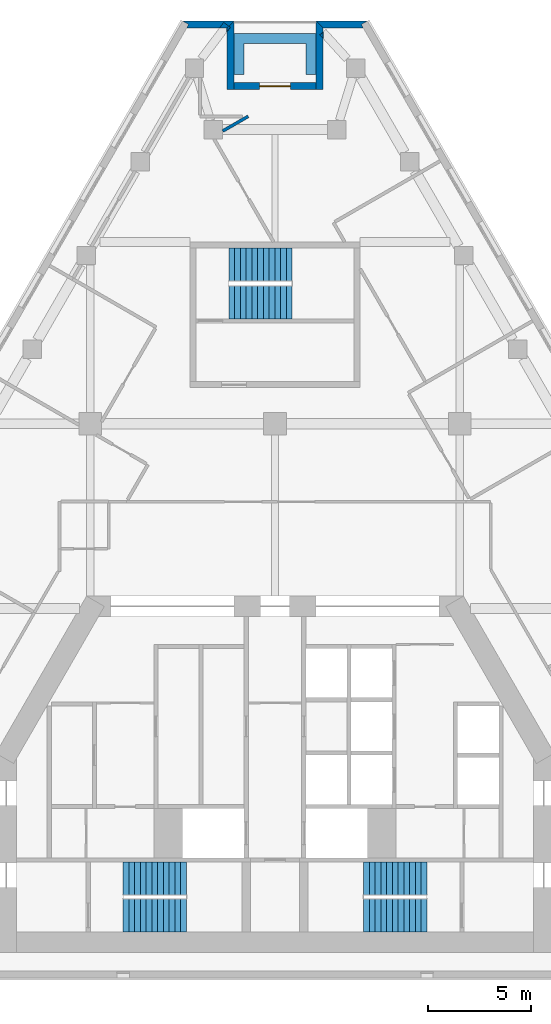
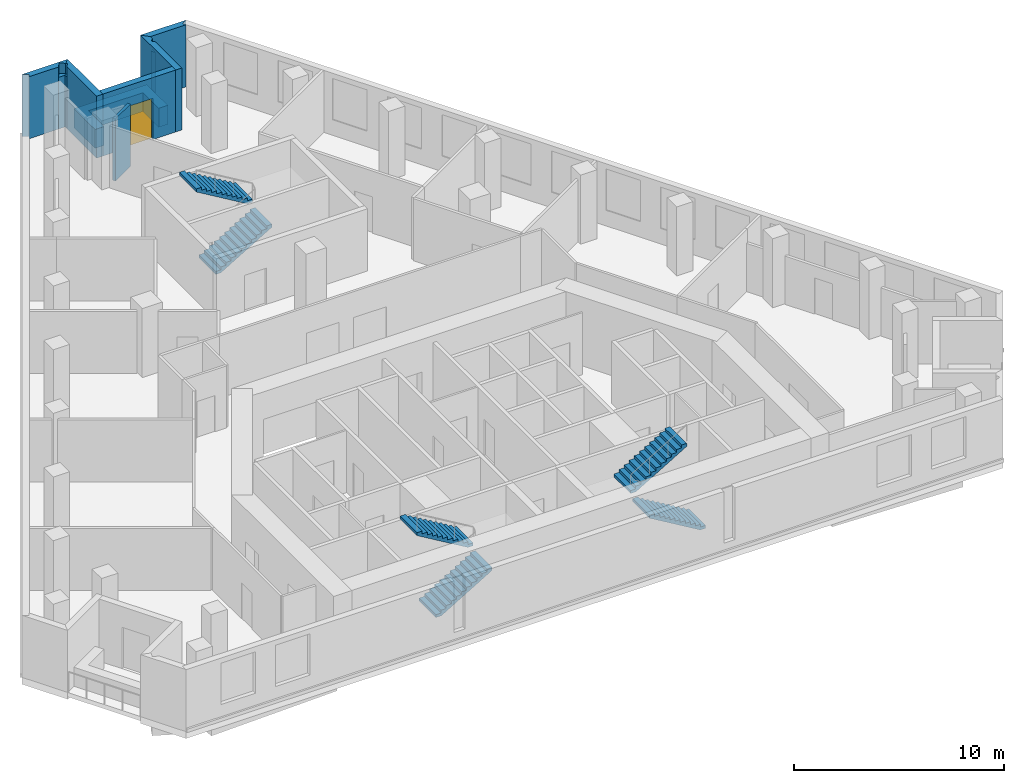
# One storey, part 7 of 8: 10 walls, 6 stair flights, 1 door, 1 opening, 3 elements without a shape of their own.
"""IFC4 building model written with IfcOpenShell, lengths in metres."""

from ifc_helpers import new_model, si_unit, direction, frame, frame_2d, origin, place, context, subcontext, project, spatial, polyline, rectangle, outline, extrude, material, layer, layer_set, type_object, element, fill, aggregate, save


model = new_model("IFC4")

# Units and contexts
model_context = context("Model", 3, precision=1e-05, world=origin(), true_north=direction((0.0, 1.0)))
body_context = subcontext(model_context, "Body", "Model", "MODEL_VIEW")
ifc_project = project(units=[si_unit("LENGTHUNIT", "METRE"), si_unit("AREAUNIT", "SQUARE_METRE"), si_unit("VOLUMEUNIT", "CUBIC_METRE"), si_unit("PLANEANGLEUNIT", "RADIAN"), si_unit("MASSUNIT", "GRAM", prefix="KILO")], contexts=[model_context])

# Site, building, storey
site_placement = place(None, origin())
site = spatial("IfcSite", under=ifc_project, at=site_placement, CompositionType="ELEMENT")
building_placement = place(site_placement, origin())
building = spatial("IfcBuilding", under=site, at=building_placement, Name="Fogline Exchange Tower", CompositionType="ELEMENT")
storey_placement = place(building_placement, frame((0.0, 0.0, 223.5)))
storey = spatial("IfcBuildingStorey", under=building, at=storey_placement, Name="L50", CompositionType="ELEMENT", Elevation=223.5)

# Walls
ifc_material_1 = material(Name="Brick masonry", Category="masonry")
ifc_layer_1 = layer(ifc_material_1, 0.340087890625)
ifc_layer_set_1 = layer_set([ifc_layer_1], Name="FW1")
wall_type_1 = type_object("IfcWallType", Name="FW1", PredefinedType="SOLIDWALL", material=ifc_layer_set_1)
wall_1_placement = place(storey_placement, origin())
element("IfcWall", 1, at=wall_1_placement, inside=storey, type_object=wall_type_1, Name="Brick wall L50 N-c1", PredefinedType="SOLIDWALL", context=body_context, shape_type="SweptSolid", body=[
    extrude(outline(polyline([(1.9990234375, 46.6171875), (4.5009765625, 46.6171875), (4.501220703125, 46.61669921875), (4.206298828125, 46.446533203125), (4.3046875, 46.276123046875), (2.33984375, 46.276123046875), (1.998779296875, 46.616943359375), (1.9990234375, 46.6171875)])), origin(), (0.0, 0.0, 1.0), 3.60009765625),
])
wall_2_placement = place(storey_placement, origin())
element("IfcWall", 2, at=wall_2_placement, inside=storey, type_object=wall_type_1, Name="Brick wall L50 N-s1", PredefinedType="SOLIDWALL", context=body_context, shape_type="SweptSolid", body=[
    extrude(outline(polyline([(2.340576171875, 45.7705078125), (2.188232421875, 45.938232421875), (2.340576171875, 46.07666015625), (2.340576171875, 45.7705078125)])), origin(), (0.0, 0.0, 1.0), 3.0),
])
wall_3_placement = place(storey_placement, origin())
element("IfcWall", 3, at=wall_3_placement, inside=storey, type_object=wall_type_1, Name="Brick wall L50 N-s1", PredefinedType="SOLIDWALL", context=body_context, shape_type="SweptSolid", body=[
    extrude(outline(polyline([(1.99951171875, 43.276123046875), (1.99951171875, 46.61767578125), (1.999755859375, 46.617919921875), (2.340576171875, 46.27685546875), (2.340576171875, 46.07666015625), (2.188232421875, 45.938232421875), (2.340576171875, 45.7705078125), (2.340576171875, 43.276123046875), (1.99951171875, 43.276123046875)])), origin(), (0.0, 0.0, 1.0), 3.60009765625),
])

# Wall, opening, door
wall_4_placement = place(storey_placement, frame((2.0, 43.446533203125, 0.0), z_axis=(0.0, 0.0, 1.0), x_axis=(-1.0, 0.0, 0.0)))
wall_4 = element("IfcWall", 4, at=wall_4_placement, inside=storey, type_object=wall_type_1, Name="Brick wall L50 N-bk", PredefinedType="SOLIDWALL", context=body_context, shape_type="SweptSolid", body=[
    extrude(rectangle(XDim=4.0, YDim=0.340087890625, at=frame_2d((2.0, 0.0))), origin(), (0.0, 0.0, 1.0), 3.60009765625),
])
opening_placement = place(wall_4_placement, frame((1.25, 0.0, 0.0)))
opening = element("IfcOpeningElement", 5, at=opening_placement, cuts=wall_4, Name="Opening T16-E141", PredefinedType="OPENING", context=body_context, shape_type="SweptSolid", body=[
    extrude(rectangle(XDim=1.5, YDim=2.39990234375, at=frame_2d((0.75, 1.199951171875))), frame((0.0, 0.18017578125, 0.0), z_axis=(0.0, -1.0, 0.0), x_axis=(1.0, 0.0, 0.0)), (0.0, 0.0, 1.0), 0.360107421875),
])
ifc_material_2 = material(Name="Aluminium and glass", Category="aluminium")
door_type = type_object("IfcDoorType", Name="ED4", OperationType="SINGLE_SWING_LEFT", PredefinedType="DOOR", material=ifc_material_2)
door_placement = place(opening_placement, frame((1.5, 0.0, 0.0), z_axis=(0.0, 0.0, 1.0), x_axis=(-1.0, 0.0, 0.0)))
door = element("IfcDoor", 6, at=door_placement, inside=storey, type_object=door_type, Name="Balcony door L50 N", OperationType="DOUBLE_DOOR_SINGLE_SWING", OverallHeight=2.39990234375, OverallWidth=1.5, PredefinedType="DOOR", context=body_context, shape_type="SweptSolid", body=[
    extrude(rectangle(XDim=1.5, YDim=2.39990234375, at=frame_2d((0.75, 1.199951171875))), frame((0.0, 0.02490234375, 0.0), z_axis=(0.0, -1.0, 0.0), x_axis=(1.0, 0.0, 0.0)), (0.0, 0.0, 1.0), 0.050048828125),
])
fill(opening, door)

# Walls
wall_5_placement = place(storey_placement, origin())
element("IfcWall", 7, at=wall_5_placement, inside=storey, type_object=wall_type_1, Name="Brick wall L50 N-s2", PredefinedType="SOLIDWALL", context=body_context, shape_type="SweptSolid", body=[
    extrude(outline(polyline([(-2.340576171875, 46.27685546875), (-2.251953125, 46.365478515625), (-2.18017578125, 46.3115234375), (-2.340576171875, 46.09814453125), (-2.340576171875, 46.27685546875)])), origin(), (0.0, 0.0, 1.0), 3.0),
])
wall_6_placement = place(storey_placement, origin())
element("IfcWall", 8, at=wall_6_placement, inside=storey, type_object=wall_type_1, Name="Brick wall L50 N-s2", PredefinedType="SOLIDWALL", context=body_context, shape_type="SweptSolid", body=[
    extrude(outline(polyline([(-1.99951171875, 43.276123046875), (-2.340576171875, 43.276123046875), (-2.340576171875, 46.09814453125), (-2.18017578125, 46.3115234375), (-2.251953125, 46.365478515625), (-1.999755859375, 46.617919921875), (-1.99951171875, 46.61767578125), (-1.99951171875, 43.276123046875)])), origin(), (0.0, 0.0, 1.0), 3.60009765625),
])
wall_7_placement = place(storey_placement, origin())
element("IfcWall", 9, at=wall_7_placement, inside=storey, type_object=wall_type_1, Name="Brick wall L50 N-c2", PredefinedType="SOLIDWALL", context=body_context, shape_type="SweptSolid", body=[
    extrude(outline(polyline([(-2.33984375, 46.276123046875), (-2.707275390625, 46.276123046875), (-2.499755859375, 46.552001953125), (-2.2509765625, 46.36474609375), (-2.33984375, 46.276123046875)])), origin(), (0.0, 0.0, 1.0), 3.0),
])
wall_8_placement = place(storey_placement, origin())
element("IfcWall", 10, at=wall_8_placement, inside=storey, type_object=wall_type_1, Name="Brick wall L50 N-c2", PredefinedType="SOLIDWALL", context=body_context, shape_type="SweptSolid", body=[
    extrude(outline(polyline([(-4.206298828125, 46.446533203125), (-4.501220703125, 46.61669921875), (-4.5009765625, 46.6171875), (-1.9990234375, 46.6171875), (-1.998779296875, 46.616943359375), (-2.2509765625, 46.36474609375), (-2.499755859375, 46.552001953125), (-2.707275390625, 46.276123046875), (-4.3046875, 46.276123046875), (-4.206298828125, 46.446533203125)])), origin(), (0.0, 0.0, 1.0), 3.60009765625),
])
ifc_material_3 = material(Name="Concrete C30", Category="concrete")
ifc_layer_2 = layer(ifc_material_3, 0.199951171875)
ifc_layer_set_2 = layer_set([ifc_layer_2], Name="PL1")
wall_type_2 = type_object("IfcWallType", Name="PL1", PredefinedType="USERDEFINED", material=ifc_layer_set_2)
wall_9_placement = place(storey_placement, origin())
element("IfcWall", 11, at=wall_9_placement, inside=storey, type_object=wall_type_2, Name="PLANTER balcony L50 N", ObjectType="PLANTER", PredefinedType="USERDEFINED", context=body_context, shape_type="SweptSolid", body=[
    extrude(outline(polyline([(-1.5, 46.0166015625), (-2.0, 46.0166015625), (-2.0, 45.5166015625), (-2.0, 44.0166015625), (-1.5, 44.0166015625), (-1.5, 45.5166015625), (1.5, 45.5166015625), (1.5, 44.0166015625), (2.0, 44.0166015625), (2.0, 45.5166015625), (2.0, 46.0166015625), (1.5, 46.0166015625), (-1.5, 46.0166015625)])), origin(), (0.0, 0.0, 1.0), 1.10009765625),
])
ifc_material_4 = material(Name="Plasterboard demising partition with mineral wool and acoustic board")
ifc_layer_3 = layer(ifc_material_4, 0.14990234375)
ifc_layer_set_3 = layer_set([ifc_layer_3], Name="PW3")
wall_type_3 = type_object("IfcWallType", Name="PW3", PredefinedType="PARTITIONING", material=ifc_layer_set_3)
wall_10_placement = place(storey_placement, frame((-2.550048828125, 41.255126953125, 0.0), z_axis=(0.0, 0.0, 1.0), x_axis=(0.866001162221, 0.500041985268, 0.0)))
element("IfcWall", 12, at=wall_10_placement, inside=storey, type_object=wall_type_3, Name="wall-L50-W028", PredefinedType="PARTITIONING", context=body_context, shape_type="SweptSolid", body=[
    extrude(rectangle(XDim=1.43310546875, YDim=0.14990234375, at=frame_2d((0.716552734375, 0.0))), origin(), (0.0, 0.0, 1.0), 3.60009765625),
])

# Stair, stair flights
ifc_material_5 = material(Name="Concrete C40", Category="concrete")
stair_type = type_object("IfcStairType", Name="STR24-1667", PredefinedType="HALF_TURN_STAIR", material=ifc_material_5)
stair_1_placement = place(storey_placement, origin())
stair_1 = element("IfcStair", 13, at=stair_1_placement, inside=storey, type_object=stair_type, Name="Stair ST1", PredefinedType="HALF_TURN_STAIR")
stair_flight_type = type_object("IfcStairFlightType", Name="SF12-1667", PredefinedType="STRAIGHT", material=ifc_material_5)
stair_flight_1_placement = place(storey_placement, frame((-7.39990234375, 3.050048828125, 0.0), z_axis=(0.0, 0.0, 1.0), x_axis=(1.0, 0.0, 0.0)))
stair_flight_1 = element("IfcStairFlight", 14, at=stair_flight_1_placement, type_object=stair_flight_type, Name="ST1 flight 1", NumberOfRisers=12, NumberOfTreads=11, PredefinedType="STRAIGHT", RiserHeight=0.166666667, TreadLength=0.28, context=body_context, shape_type="SweptSolid", body=[
    extrude(outline(polyline([(0.0, 0.0), (0.0, 0.166748046875), (0.280029296875, 0.166748046875), (0.280029296875, 0.333251953125), (0.56005859375, 0.333251953125), (0.56005859375, 0.5), (0.840087890625, 0.5), (0.840087890625, 0.666748046875), (1.1201171875, 0.666748046875), (1.1201171875, 0.833251953125), (1.39990234375, 0.833251953125), (1.39990234375, 1.0), (1.679931640625, 1.0), (1.679931640625, 1.166748046875), (1.9599609375, 1.166748046875), (1.9599609375, 1.333251953125), (2.239990234375, 1.333251953125), (2.239990234375, 1.5), (2.52001953125, 1.5), (2.52001953125, 1.666748046875), (2.800048828125, 1.666748046875), (2.800048828125, 1.833251953125), (3.080078125, 1.833251953125), (3.080078125, 2.0), (3.080078125, 1.658935546875), (0.29296875, 0.0), (0.0, 0.0)])), frame((0.0, 0.800048828125, 0.0), z_axis=(0.0, -1.0, 0.0), x_axis=(1.0, 0.0, 0.0)), (0.0, 0.0, 1.0), 1.60009765625),
])
stair_flight_2_placement = place(storey_placement, frame((-4.320068359375, 4.85009765625, 2.0), z_axis=(0.0, 0.0, 1.0), x_axis=(-1.0, 0.0, 0.0)))
stair_flight_2 = element("IfcStairFlight", 15, at=stair_flight_2_placement, type_object=stair_flight_type, Name="ST1 flight 2", NumberOfRisers=12, NumberOfTreads=11, PredefinedType="STRAIGHT", RiserHeight=0.166666667, TreadLength=0.28, context=body_context, shape_type="SweptSolid", body=[
    extrude(outline(polyline([(0.0, 0.0), (0.0, 0.166748046875), (0.280029296875, 0.166748046875), (0.280029296875, 0.333251953125), (0.56005859375, 0.333251953125), (0.56005859375, 0.5), (0.840087890625, 0.5), (0.840087890625, 0.666748046875), (1.1201171875, 0.666748046875), (1.1201171875, 0.833251953125), (1.39990234375, 0.833251953125), (1.39990234375, 1.0), (1.679931640625, 1.0), (1.679931640625, 1.166748046875), (1.9599609375, 1.166748046875), (1.9599609375, 1.333251953125), (2.239990234375, 1.333251953125), (2.239990234375, 1.5), (2.52001953125, 1.5), (2.52001953125, 1.666748046875), (2.800048828125, 1.666748046875), (2.800048828125, 1.833251953125), (3.080078125, 1.833251953125), (3.080078125, 2.0), (3.080078125, 1.658935546875), (0.29296875, 0.0), (0.0, 0.0)])), frame((0.0, 0.800048828125, 0.0), z_axis=(0.0, -1.0, 0.0), x_axis=(1.0, 0.0, 0.0)), (0.0, 0.0, 1.0), 1.60009765625),
])
aggregate(stair_1, [stair_flight_1, stair_flight_2])

stair_2_placement = place(storey_placement, origin())
stair_2 = element("IfcStair", 16, at=stair_2_placement, inside=storey, type_object=stair_type, Name="Stair ST2", PredefinedType="HALF_TURN_STAIR")
stair_flight_3_placement = place(storey_placement, frame((7.39990234375, 3.050048828125, 0.0), z_axis=(0.0, 0.0, 1.0), x_axis=(-1.0, 0.0, 0.0)))
stair_flight_3 = element("IfcStairFlight", 17, at=stair_flight_3_placement, type_object=stair_flight_type, Name="ST2 flight 1", NumberOfRisers=12, NumberOfTreads=11, PredefinedType="STRAIGHT", RiserHeight=0.166666667, TreadLength=0.28, context=body_context, shape_type="SweptSolid", body=[
    extrude(outline(polyline([(0.0, 0.0), (0.0, 0.166748046875), (0.280029296875, 0.166748046875), (0.280029296875, 0.333251953125), (0.56005859375, 0.333251953125), (0.56005859375, 0.5), (0.840087890625, 0.5), (0.840087890625, 0.666748046875), (1.1201171875, 0.666748046875), (1.1201171875, 0.833251953125), (1.39990234375, 0.833251953125), (1.39990234375, 1.0), (1.679931640625, 1.0), (1.679931640625, 1.166748046875), (1.9599609375, 1.166748046875), (1.9599609375, 1.333251953125), (2.239990234375, 1.333251953125), (2.239990234375, 1.5), (2.52001953125, 1.5), (2.52001953125, 1.666748046875), (2.800048828125, 1.666748046875), (2.800048828125, 1.833251953125), (3.080078125, 1.833251953125), (3.080078125, 2.0), (3.080078125, 1.658935546875), (0.29296875, 0.0), (0.0, 0.0)])), frame((0.0, 0.800048828125, 0.0), z_axis=(0.0, -1.0, 0.0), x_axis=(1.0, 0.0, 0.0)), (0.0, 0.0, 1.0), 1.60009765625),
])
stair_flight_4_placement = place(storey_placement, frame((4.320068359375, 4.85009765625, 2.0), z_axis=(0.0, 0.0, 1.0), x_axis=(1.0, 0.0, 0.0)))
stair_flight_4 = element("IfcStairFlight", 18, at=stair_flight_4_placement, type_object=stair_flight_type, Name="ST2 flight 2", NumberOfRisers=12, NumberOfTreads=11, PredefinedType="STRAIGHT", RiserHeight=0.166666667, TreadLength=0.28, context=body_context, shape_type="SweptSolid", body=[
    extrude(outline(polyline([(0.0, 0.0), (0.0, 0.166748046875), (0.280029296875, 0.166748046875), (0.280029296875, 0.333251953125), (0.56005859375, 0.333251953125), (0.56005859375, 0.5), (0.840087890625, 0.5), (0.840087890625, 0.666748046875), (1.1201171875, 0.666748046875), (1.1201171875, 0.833251953125), (1.39990234375, 0.833251953125), (1.39990234375, 1.0), (1.679931640625, 1.0), (1.679931640625, 1.166748046875), (1.9599609375, 1.166748046875), (1.9599609375, 1.333251953125), (2.239990234375, 1.333251953125), (2.239990234375, 1.5), (2.52001953125, 1.5), (2.52001953125, 1.666748046875), (2.800048828125, 1.666748046875), (2.800048828125, 1.833251953125), (3.080078125, 1.833251953125), (3.080078125, 2.0), (3.080078125, 1.658935546875), (0.29296875, 0.0), (0.0, 0.0)])), frame((0.0, 0.800048828125, 0.0), z_axis=(0.0, -1.0, 0.0), x_axis=(1.0, 0.0, 0.0)), (0.0, 0.0, 1.0), 1.60009765625),
])
aggregate(stair_2, [stair_flight_3, stair_flight_4])

stair_3_placement = place(storey_placement, origin())
stair_3 = element("IfcStair", 19, at=stair_3_placement, inside=storey, type_object=stair_type, Name="Stair ST3", PredefinedType="HALF_TURN_STAIR")
stair_flight_5_placement = place(storey_placement, frame((-2.25, 32.906982421875, 0.0), z_axis=(0.0, 0.0, 1.0), x_axis=(1.0, 0.0, 0.0)))
stair_flight_5 = element("IfcStairFlight", 20, at=stair_flight_5_placement, type_object=stair_flight_type, Name="ST3 flight 1", NumberOfRisers=12, NumberOfTreads=11, PredefinedType="STRAIGHT", RiserHeight=0.166666667, TreadLength=0.28, context=body_context, shape_type="SweptSolid", body=[
    extrude(outline(polyline([(0.0, 0.0), (0.0, 0.166748046875), (0.280029296875, 0.166748046875), (0.280029296875, 0.333251953125), (0.56005859375, 0.333251953125), (0.56005859375, 0.5), (0.840087890625, 0.5), (0.840087890625, 0.666748046875), (1.1201171875, 0.666748046875), (1.1201171875, 0.833251953125), (1.39990234375, 0.833251953125), (1.39990234375, 1.0), (1.679931640625, 1.0), (1.679931640625, 1.166748046875), (1.9599609375, 1.166748046875), (1.9599609375, 1.333251953125), (2.239990234375, 1.333251953125), (2.239990234375, 1.5), (2.52001953125, 1.5), (2.52001953125, 1.666748046875), (2.800048828125, 1.666748046875), (2.800048828125, 1.833251953125), (3.080078125, 1.833251953125), (3.080078125, 2.0), (3.080078125, 1.658935546875), (0.29296875, 0.0), (0.0, 0.0)])), frame((0.0, 0.800048828125, 0.0), z_axis=(0.0, -1.0, 0.0), x_axis=(1.0, 0.0, 0.0)), (0.0, 0.0, 1.0), 1.60009765625),
])
stair_flight_6_placement = place(storey_placement, frame((0.830078125, 34.757080078125, 2.0), z_axis=(0.0, 0.0, 1.0), x_axis=(-1.0, 0.0, 0.0)))
stair_flight_6 = element("IfcStairFlight", 21, at=stair_flight_6_placement, type_object=stair_flight_type, Name="ST3 flight 2", NumberOfRisers=12, NumberOfTreads=11, PredefinedType="STRAIGHT", RiserHeight=0.166666667, TreadLength=0.28, context=body_context, shape_type="SweptSolid", body=[
    extrude(outline(polyline([(0.0, 0.0), (0.0, 0.166748046875), (0.280029296875, 0.166748046875), (0.280029296875, 0.333251953125), (0.56005859375, 0.333251953125), (0.56005859375, 0.5), (0.840087890625, 0.5), (0.840087890625, 0.666748046875), (1.1201171875, 0.666748046875), (1.1201171875, 0.833251953125), (1.39990234375, 0.833251953125), (1.39990234375, 1.0), (1.679931640625, 1.0), (1.679931640625, 1.166748046875), (1.9599609375, 1.166748046875), (1.9599609375, 1.333251953125), (2.239990234375, 1.333251953125), (2.239990234375, 1.5), (2.52001953125, 1.5), (2.52001953125, 1.666748046875), (2.800048828125, 1.666748046875), (2.800048828125, 1.833251953125), (3.080078125, 1.833251953125), (3.080078125, 2.0), (3.080078125, 1.658935546875), (0.29296875, 0.0), (0.0, 0.0)])), frame((0.0, 0.800048828125, 0.0), z_axis=(0.0, -1.0, 0.0), x_axis=(1.0, 0.0, 0.0)), (0.0, 0.0, 1.0), 1.60009765625),
])
aggregate(stair_3, [stair_flight_5, stair_flight_6])

save(model, "model.ifc")
